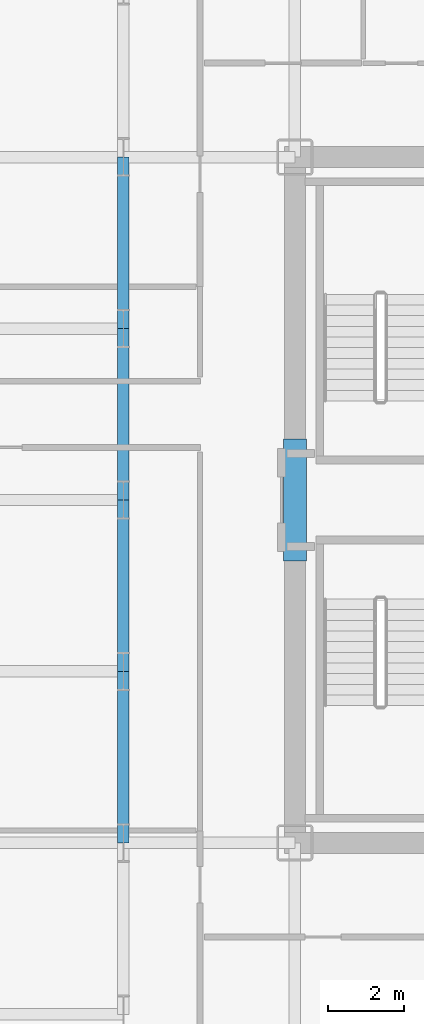
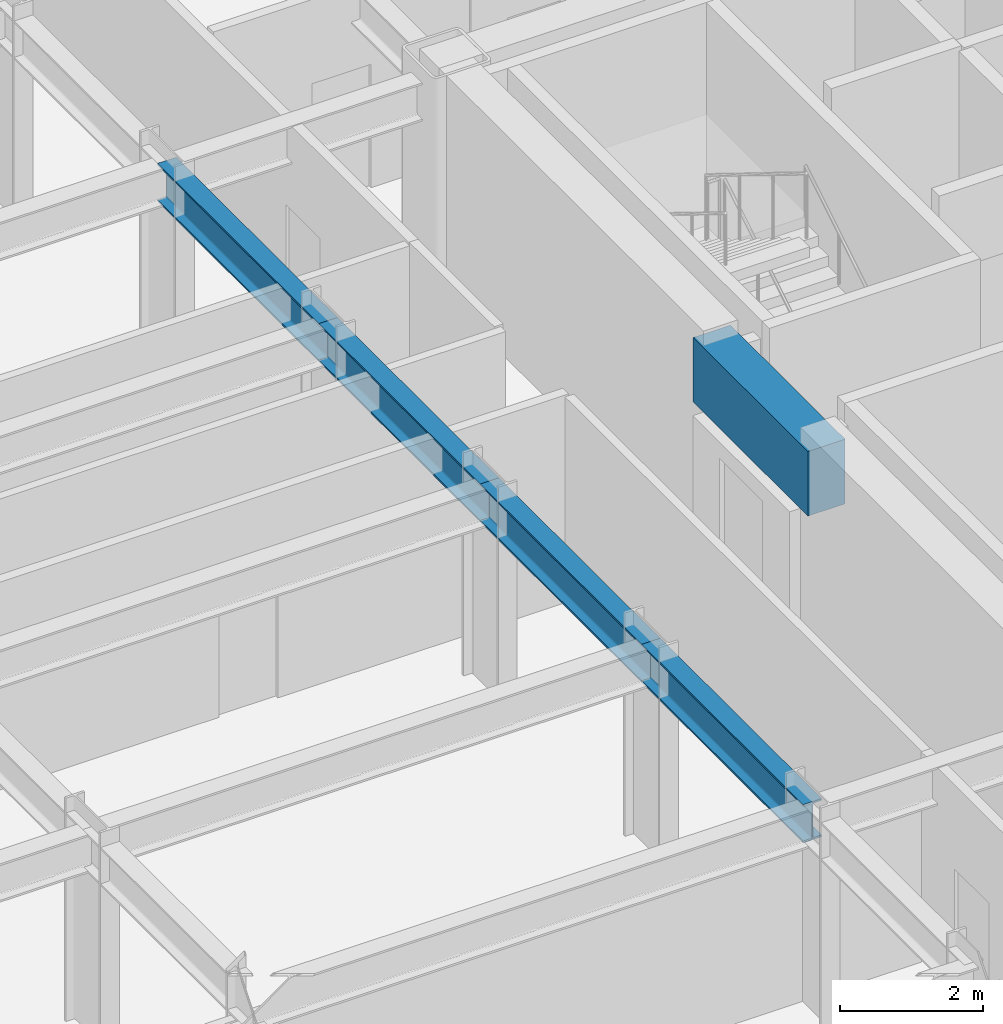
# One storey, part 7 of 29: 5 beams.
"""IFC4 building model written with IfcOpenShell, lengths in metres."""

from ifc_helpers import new_model, si_unit, direction, frame, origin, origin_2d, place, context, subcontext, project, spatial, rectangle, i_section, extrude, source, transform, mapped, material, material_profile, profile_set, type_object, element, save


model = new_model("IFC4")

# Units and contexts
model_context = context("Model", 3, precision=1e-05, world=origin(), true_north=direction((0.0, 1.0)))
body_context = subcontext(model_context, "Body", "Model", "MODEL_VIEW")
ifc_project = project(units=[si_unit("LENGTHUNIT", "METRE"), si_unit("AREAUNIT", "SQUARE_METRE"), si_unit("VOLUMEUNIT", "CUBIC_METRE"), si_unit("PLANEANGLEUNIT", "RADIAN"), si_unit("MASSUNIT", "GRAM", prefix="KILO")], contexts=[model_context])

# Site, building, storey
site_placement = place(None, origin())
site = spatial("IfcSite", under=ifc_project, at=site_placement, CompositionType="ELEMENT")
building_placement = place(site_placement, origin())
building = spatial("IfcBuilding", under=site, at=building_placement, Name="Nefas-Gora Pilgrimage Tower", CompositionType="ELEMENT")
storey_placement = place(building_placement, frame((0.0, 0.0, 125.0)))
storey = spatial("IfcBuildingStorey", under=building, at=storey_placement, Name="L30", CompositionType="ELEMENT", Elevation=125.0)

# Beams
ifc_material_1 = material(Name="Concrete C60/75", Category="concrete")
ifc_material_profile_1 = material_profile(ifc_material_1, rectangle(XDim=0.60009765625, YDim=1.10009765625, at=origin_2d()), Name="RC 600x1100")
ifc_profile_set_1 = profile_set([ifc_material_profile_1], Name="Concrete C60/75")
beam_type_1 = type_object("IfcBeamType", Name="BM-LIN-RC1100", PredefinedType="LINTEL", material=ifc_profile_set_1)
shared_shape_1 = source(origin(), body_context, "Body", "SweptSolid", [
    extrude(rectangle(XDim=0.60009765625, YDim=1.10009765625, at=origin_2d()), origin(), (0.0, 0.0, 1.0), 3.2001953125),
])
beam_placement = place(storey_placement, frame((-11.25, -1.60009765625, 3.0), z_axis=(0.0, 1.0, 0.0), x_axis=(-1.0, 0.0, 0.0)))
element("IfcBeam", 1, at=beam_placement, inside=storey, type_object=beam_type_1, Name="L30 Core Coupling Lintel Beam W", PredefinedType="LINTEL", context=body_context, shape_type="MappedRepresentation", body=[
    mapped(shared_shape_1, transform((0.0, 0.0, 0.0), x_axis=(1.0, 0.0, 0.0), y_axis=(0.0, 1.0, 0.0), z_axis=(0.0, 0.0, 1.0), scale=1.0)),
])
ifc_material_2 = material(Name="Steel S355", Category="steel")
ifc_material_profile_2 = material_profile(ifc_material_2, i_section(OverallWidth=0.300048828125, OverallDepth=0.64990234375, WebThickness=0.01611328125, FlangeThickness=0.031005859375, FilletRadius=0.027099609375, at=origin_2d()), Name="HEB 650")
ifc_profile_set_2 = profile_set([ifc_material_profile_2], Name="Steel S355")
beam_type_2 = type_object("IfcBeamType", Name="BM-GIR-HEB650", PredefinedType="BEAM", material=ifc_profile_set_2)
shared_shape_2 = source(origin(), body_context, "Body", "SweptSolid", [
    extrude(i_section(OverallWidth=0.300048828125, OverallDepth=0.64990234375, WebThickness=0.01611328125, FlangeThickness=0.031005859375, FilletRadius=0.027099609375, at=origin_2d()), origin(), (0.0, 0.0, 1.0), 4.5),
])
for number, where, z_axis, x_axis, name in (
    (2, (-15.75, -9.0, 3.22509765625), (0.0, 1.0, 0.0), (-1.0, 0.0, 0.0), "L30 G-03 beam"),
    (3, (-15.75, -4.5, 3.22509765625), (0.0, 1.0, 0.0), (-1.0, 0.0, 0.0), "L30 G-03 beam"),
    (4, (-15.75, 0.0, 3.22509765625), (0.0, 1.0, 0.0), (-1.0, 0.0, 0.0), "L30 G-03 beam"),
    (5, (-15.75, 4.5, 3.22509765625), (0.0, 1.0, 0.0), (-1.0, 0.0, 0.0), "L30 G-03 beam"),
):
    element("IfcBeam", number, at=place(storey_placement, frame(where, z_axis=z_axis, x_axis=x_axis)), inside=storey, type_object=beam_type_2, Name=name, PredefinedType="BEAM", context=body_context, shape_type="MappedRepresentation", body=[
        mapped(shared_shape_2, transform((0.0, 0.0, 0.0), x_axis=(1.0, 0.0, 0.0), y_axis=(0.0, 1.0, 0.0), z_axis=(0.0, 0.0, 1.0), scale=1.0)),
    ])

save(model, "model.ifc")
